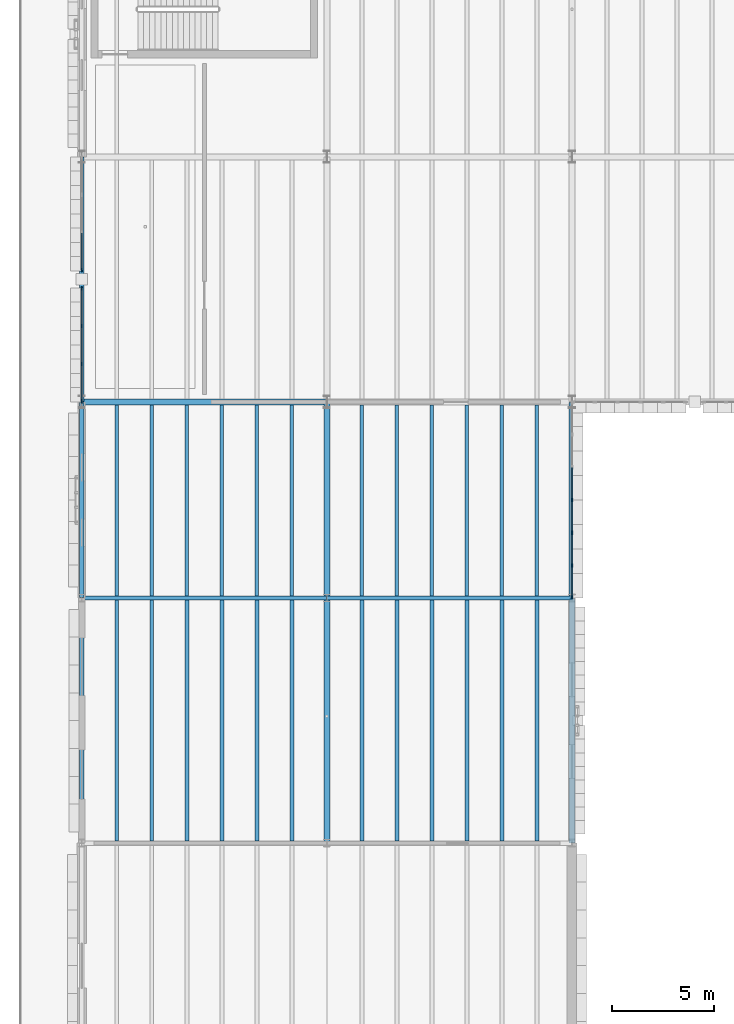
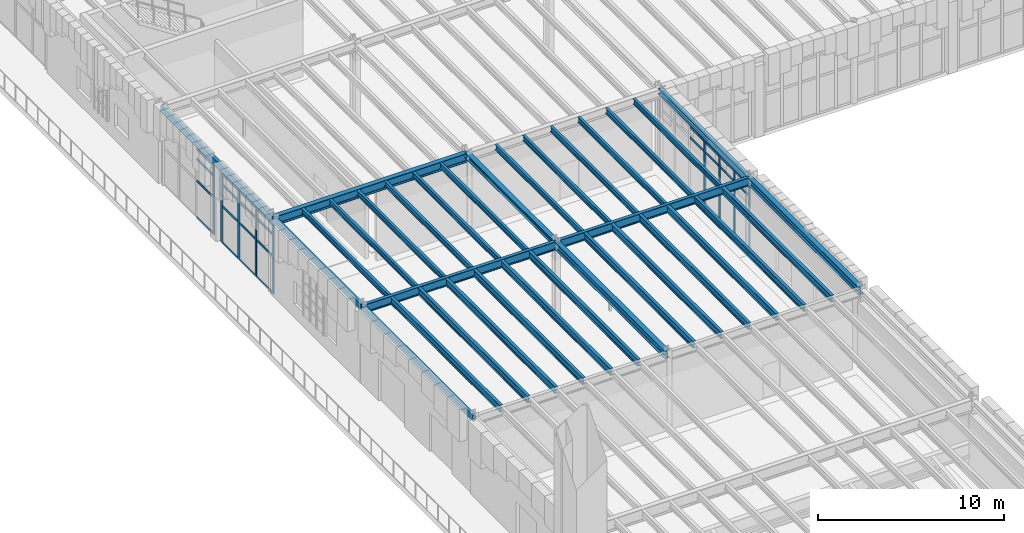
# One storey, part 17 of 103: 41 members, 34 beams, 3 elements without a shape of their own.
"""IFC4 building model written with IfcOpenShell, lengths in metres."""

from ifc_helpers import new_model, si_unit, direction, frame, origin, origin_2d, place, context, subcontext, project, spatial, rectangle, hollow_rectangle, i_section, extrude, material, layer, layer_set, material_profile, profile_set, type_object, element, aggregate, save


model = new_model("IFC4")

# Units and contexts
model_context = context("Model", 3, precision=1e-05, world=origin(), true_north=direction((0.0, 1.0)))
body_context = subcontext(model_context, "Body", "Model", "MODEL_VIEW")
ifc_project = project(units=[si_unit("LENGTHUNIT", "METRE"), si_unit("AREAUNIT", "SQUARE_METRE"), si_unit("VOLUMEUNIT", "CUBIC_METRE"), si_unit("PLANEANGLEUNIT", "RADIAN"), si_unit("MASSUNIT", "GRAM", prefix="KILO")], contexts=[model_context])

# Site, building, storey
site_placement = place(None, origin())
site = spatial("IfcSite", under=ifc_project, at=site_placement, CompositionType="ELEMENT")
building_placement = place(site_placement, origin())
building = spatial("IfcBuilding", under=site, at=building_placement, Name="Zlatogorsky Bluff Art Gallery", CompositionType="ELEMENT")
storey_placement = place(building_placement, origin())
storey = spatial("IfcBuildingStorey", under=building, at=storey_placement, Name="L00", CompositionType="ELEMENT", Elevation=0.0)

# Beams
ifc_material_1 = material(Name="Steel S355", Category="steel")
ifc_material_profile_1 = material_profile(ifc_material_1, i_section(OverallWidth=0.300048828125, OverallDepth=0.590087890625, WebThickness=0.012939453125, FlangeThickness=0.02490234375, FilletRadius=0.027099609375, at=origin_2d()), Name="HEA 600")
ifc_profile_set_1 = profile_set([ifc_material_profile_1], Name="Steel S355")
beam_type_1 = type_object("IfcBeamType", Name="Beam BM-05 HEA 600", PredefinedType="BEAM", material=ifc_profile_set_1)
beam_1_placement = place(storey_placement, frame((0.014892578125, 84.0, 4.844970703125), z_axis=(1.0, 0.0, 0.0), x_axis=(0.0, 1.0, 0.0)))
element("IfcBeam", 1, at=beam_1_placement, inside=storey, type_object=beam_type_1, Name="Primary girder BM-05 L00 A-B/9", PredefinedType="BEAM", context=body_context, shape_type="SweptSolid", body=[
    extrude(i_section(OverallWidth=0.300048828125, OverallDepth=0.590087890625, WebThickness=0.012939453125, FlangeThickness=0.02490234375, FilletRadius=0.027099609375, at=origin_2d()), origin(), (0.0, 0.0, 1.0), 11.97021484375),
])
ifc_material_profile_2 = material_profile(ifc_material_1, i_section(OverallWidth=0.300048828125, OverallDepth=0.489990234375, WebThickness=0.011962890625, FlangeThickness=0.02294921875, FilletRadius=0.027099609375, at=origin_2d()), Name="HEA 500")
ifc_profile_set_2 = profile_set([ifc_material_profile_2], Name="Steel S355")
beam_type_2 = type_object("IfcBeamType", Name="Beam BM-07 HEA 500", PredefinedType="BEAM", material=ifc_profile_set_2)
for number, where, z_axis, x_axis, name in (
    (2, (12.0, 62.4150390625, 4.89501953125), (0.0, 1.0, 0.0), (-1.0, 0.0, 0.0), "Primary girder BM-07 L00 B/7-8"),
    (3, (24.0, 62.4150390625, 4.89501953125), (0.0, 1.0, 0.0), (-1.0, 0.0, 0.0), "Primary girder BM-07 L00 C/7-8"),
):
    element("IfcBeam", number, at=place(storey_placement, frame(where, z_axis=z_axis, x_axis=x_axis)), inside=storey, type_object=beam_type_2, Name=name, PredefinedType="BEAM", context=body_context, shape_type="SweptSolid", body=[
        extrude(i_section(OverallWidth=0.300048828125, OverallDepth=0.489990234375, WebThickness=0.011962890625, FlangeThickness=0.02294921875, FilletRadius=0.027099609375, at=origin_2d()), origin(), (0.0, 0.0, 1.0), 11.969970703125),
    ])
ifc_material_profile_3 = material_profile(ifc_material_1, i_section(OverallWidth=0.300048828125, OverallDepth=0.35009765625, WebThickness=0.010009765625, FlangeThickness=0.017578125, FilletRadius=0.027099609375, at=origin_2d()), Name="HEA 360")
ifc_profile_set_3 = profile_set([ifc_material_profile_3], Name="Steel S355")
beam_type_3 = type_object("IfcBeamType", Name="Beam BM-10 HEA 360", PredefinedType="BEAM", material=ifc_profile_set_3)
for number, where, z_axis, x_axis, name in (
    (4, (12.0, 74.4150390625, 4.965087890625), (0.0, 1.0, 0.0), (-1.0, 0.0, 0.0), "Primary girder BM-10 L00 B/8-9"),
    (5, (24.0, 74.4150390625, 4.965087890625), (0.0, 1.0, 0.0), (-1.0, 0.0, 0.0), "Primary girder BM-10 L00 C/8-9"),
):
    element("IfcBeam", number, at=place(storey_placement, frame(where, z_axis=z_axis, x_axis=x_axis)), inside=storey, type_object=beam_type_3, Name=name, PredefinedType="BEAM", context=body_context, shape_type="SweptSolid", body=[
        extrude(i_section(OverallWidth=0.300048828125, OverallDepth=0.35009765625, WebThickness=0.010009765625, FlangeThickness=0.017578125, FilletRadius=0.027099609375, at=origin_2d()), origin(), (0.0, 0.0, 1.0), 9.570068359375),
    ])
ifc_material_profile_4 = material_profile(ifc_material_1, i_section(OverallWidth=0.2099609375, OverallDepth=0.550048828125, WebThickness=0.010986328125, FlangeThickness=0.01708984375, FilletRadius=0.02392578125, at=origin_2d()), Name="IPE 550")
ifc_profile_set_4 = profile_set([ifc_material_profile_4], Name="Steel S355")
beam_type_4 = type_object("IfcBeamType", Name="Beam BM-14 IPE 550", PredefinedType="BEAM", material=ifc_profile_set_4)
for number, where, z_axis, x_axis, name in (
    (6, (0.014892578125, 74.39990234375, 4.864990234375), (1.0, 0.0, 0.0), (0.0, 1.0, 0.0), "Primary girder BM-14 L00 A-B/8"),
    (7, (12.014892578125, 74.39990234375, 4.864990234375), (1.0, 0.0, 0.0), (0.0, 1.0, 0.0), "Primary girder BM-14 L00 B-C/8"),
):
    element("IfcBeam", number, at=place(storey_placement, frame(where, z_axis=z_axis, x_axis=x_axis)), inside=storey, type_object=beam_type_4, Name=name, PredefinedType="BEAM", context=body_context, shape_type="SweptSolid", body=[
        extrude(i_section(OverallWidth=0.2099609375, OverallDepth=0.550048828125, WebThickness=0.010986328125, FlangeThickness=0.01708984375, FilletRadius=0.02392578125, at=origin_2d()), origin(), (0.0, 0.0, 1.0), 11.97021484375),
    ])
ifc_material_profile_5 = material_profile(ifc_material_1, i_section(OverallWidth=0.169921875, OverallDepth=0.360107421875, WebThickness=0.008056640625, FlangeThickness=0.0126953125, FilletRadius=0.01806640625, at=origin_2d()), Name="IPE 360")
ifc_profile_set_5 = profile_set([ifc_material_profile_5], Name="Steel S355")
beam_type_5 = type_object("IfcBeamType", Name="Beam JS-04 IPE 360", PredefinedType="JOIST", material=ifc_profile_set_5)
for number, where, z_axis, x_axis, name in (
    (8, (1.71435546875, 74.5048828125, 4.9599609375), (0.0, 1.0, 0.0), (-1.0, 0.0, 0.0), "Composite floor joist JS-04 L00 00.07.1"),
    (9, (3.428466796875, 74.5048828125, 4.9599609375), (0.0, 1.0, 0.0), (-1.0, 0.0, 0.0), "Composite floor joist JS-04 L00 00.07.2"),
    (10, (5.142822265625, 74.5048828125, 4.9599609375), (0.0, 1.0, 0.0), (-1.0, 0.0, 0.0), "Composite floor joist JS-04 L00 00.07.3"),
    (11, (6.857177734375, 74.5048828125, 4.9599609375), (0.0, 1.0, 0.0), (-1.0, 0.0, 0.0), "Composite floor joist JS-04 L00 00.07.4"),
    (12, (8.571533203125, 74.5048828125, 4.9599609375), (0.0, 1.0, 0.0), (-1.0, 0.0, 0.0), "Composite floor joist JS-04 L00 00.07.5"),
    (13, (10.28564453125, 74.5048828125, 4.9599609375), (0.0, 1.0, 0.0), (-1.0, 0.0, 0.0), "Composite floor joist JS-04 L00 00.07.6"),
    (14, (13.71435546875, 74.5048828125, 4.9599609375), (0.0, 1.0, 0.0), (-1.0, 0.0, 0.0), "Composite floor joist JS-04 L00 01.07.1"),
    (15, (15.428466796875, 74.5048828125, 4.9599609375), (0.0, 1.0, 0.0), (-1.0, 0.0, 0.0), "Composite floor joist JS-04 L00 01.07.2"),
    (16, (17.142822265625, 74.5048828125, 4.9599609375), (0.0, 1.0, 0.0), (-1.0, 0.0, 0.0), "Composite floor joist JS-04 L00 01.07.3"),
    (17, (18.857177734375, 74.5048828125, 4.9599609375), (0.0, 1.0, 0.0), (-1.0, 0.0, 0.0), "Composite floor joist JS-04 L00 01.07.4"),
    (18, (20.571533203125, 74.5048828125, 4.9599609375), (0.0, 1.0, 0.0), (-1.0, 0.0, 0.0), "Composite floor joist JS-04 L00 01.07.5"),
    (19, (22.28564453125, 74.5048828125, 4.9599609375), (0.0, 1.0, 0.0), (-1.0, 0.0, 0.0), "Composite floor joist JS-04 L00 01.07.6"),
):
    element("IfcBeam", number, at=place(storey_placement, frame(where, z_axis=z_axis, x_axis=x_axis)), inside=storey, type_object=beam_type_5, Name=name, PredefinedType="JOIST", context=body_context, shape_type="SweptSolid", body=[
        extrude(i_section(OverallWidth=0.169921875, OverallDepth=0.360107421875, WebThickness=0.008056640625, FlangeThickness=0.0126953125, FilletRadius=0.01806640625, at=origin_2d()), origin(), (0.0, 0.0, 1.0), 9.34521484375),
    ])
ifc_material_profile_6 = material_profile(ifc_material_1, i_section(OverallWidth=0.18994140625, OverallDepth=0.449951171875, WebThickness=0.009521484375, FlangeThickness=0.0146484375, FilletRadius=0.02099609375, at=origin_2d()), Name="IPE 450")
ifc_profile_set_6 = profile_set([ifc_material_profile_6], Name="Steel S355")
beam_type_6 = type_object("IfcBeamType", Name="Beam JS-06 IPE 450", PredefinedType="JOIST", material=ifc_profile_set_6)
for number, where, z_axis, x_axis, name in (
    (20, (1.71435546875, 62.5048828125, 4.9150390625), (0.0, 1.0, 0.0), (-1.0, 0.0, 0.0), "Composite floor joist JS-06 L00 00.06.1"),
    (21, (3.428466796875, 62.5048828125, 4.9150390625), (0.0, 1.0, 0.0), (-1.0, 0.0, 0.0), "Composite floor joist JS-06 L00 00.06.2"),
    (22, (5.142822265625, 62.5048828125, 4.9150390625), (0.0, 1.0, 0.0), (-1.0, 0.0, 0.0), "Composite floor joist JS-06 L00 00.06.3"),
    (23, (6.857177734375, 62.5048828125, 4.9150390625), (0.0, 1.0, 0.0), (-1.0, 0.0, 0.0), "Composite floor joist JS-06 L00 00.06.4"),
    (24, (8.571533203125, 62.5048828125, 4.9150390625), (0.0, 1.0, 0.0), (-1.0, 0.0, 0.0), "Composite floor joist JS-06 L00 00.06.5"),
    (25, (10.28564453125, 62.5048828125, 4.9150390625), (0.0, 1.0, 0.0), (-1.0, 0.0, 0.0), "Composite floor joist JS-06 L00 00.06.6"),
    (26, (13.71435546875, 62.5048828125, 4.9150390625), (0.0, 1.0, 0.0), (-1.0, 0.0, 0.0), "Composite floor joist JS-06 L00 01.06.1"),
    (27, (15.428466796875, 62.5048828125, 4.9150390625), (0.0, 1.0, 0.0), (-1.0, 0.0, 0.0), "Composite floor joist JS-06 L00 01.06.2"),
    (28, (17.142822265625, 62.5048828125, 4.9150390625), (0.0, 1.0, 0.0), (-1.0, 0.0, 0.0), "Composite floor joist JS-06 L00 01.06.3"),
    (29, (18.857177734375, 62.5048828125, 4.9150390625), (0.0, 1.0, 0.0), (-1.0, 0.0, 0.0), "Composite floor joist JS-06 L00 01.06.4"),
    (30, (20.571533203125, 62.5048828125, 4.9150390625), (0.0, 1.0, 0.0), (-1.0, 0.0, 0.0), "Composite floor joist JS-06 L00 01.06.5"),
    (31, (22.28564453125, 62.5048828125, 4.9150390625), (0.0, 1.0, 0.0), (-1.0, 0.0, 0.0), "Composite floor joist JS-06 L00 01.06.6"),
):
    element("IfcBeam", number, at=place(storey_placement, frame(where, z_axis=z_axis, x_axis=x_axis)), inside=storey, type_object=beam_type_6, Name=name, PredefinedType="JOIST", context=body_context, shape_type="SweptSolid", body=[
        extrude(i_section(OverallWidth=0.18994140625, OverallDepth=0.449951171875, WebThickness=0.009521484375, FlangeThickness=0.0146484375, FilletRadius=0.02099609375, at=origin_2d()), origin(), (0.0, 0.0, 1.0), 11.7900390625),
    ])
ifc_material_profile_7 = material_profile(ifc_material_1, hollow_rectangle(XDim=0.199951171875, YDim=0.39990234375, WallThickness=0.01611328125, at=origin_2d()), Name="RHS 400x200x16")
ifc_profile_set_7 = profile_set([ifc_material_profile_7], Name="Steel S355")
beam_type_7 = type_object("IfcBeamType", Name="Beam SP-02 RHS 400x200x16", PredefinedType="SPANDREL", material=ifc_profile_set_7)
beam_2_placement = place(storey_placement, frame((0.0, 62.4150390625, 4.93994140625), z_axis=(0.0, 1.0, 0.0), x_axis=(-1.0, 0.0, 0.0)))
element("IfcBeam", 32, at=beam_2_placement, inside=storey, type_object=beam_type_7, Name="Primary girder SP-02 L00 A/7-8", PredefinedType="SPANDREL", context=body_context, shape_type="SweptSolid", body=[
    extrude(hollow_rectangle(XDim=0.199951171875, YDim=0.39990234375, WallThickness=0.01611328125, at=origin_2d()), origin(), (0.0, 0.0, 1.0), 11.969970703125),
])
beam_3_placement = place(storey_placement, frame((0.0, 74.4150390625, 4.93994140625), z_axis=(0.0, 1.0, 0.0), x_axis=(-1.0, 0.0, 0.0)))
element("IfcBeam", 33, at=beam_3_placement, inside=storey, type_object=beam_type_7, Name="Primary girder SP-02 L00 A/8-9", PredefinedType="SPANDREL", context=body_context, shape_type="SweptSolid", body=[
    extrude(hollow_rectangle(XDim=0.199951171875, YDim=0.39990234375, WallThickness=0.01611328125, at=origin_2d()), origin(), (0.0, 0.0, 1.0), 9.570068359375),
])
beam_4_placement = place(storey_placement, frame((0.0, 84.014892578125, 4.93994140625), z_axis=(0.0, 1.0, 0.0), x_axis=(-1.0, 0.0, 0.0)))
element("IfcBeam", 34, at=beam_4_placement, inside=storey, type_object=beam_type_7, Name="Primary girder SP-02 L00 A/9-10", PredefinedType="SPANDREL", context=body_context, shape_type="SweptSolid", body=[
    extrude(hollow_rectangle(XDim=0.199951171875, YDim=0.39990234375, WallThickness=0.01611328125, at=origin_2d()), origin(), (0.0, 0.0, 1.0), 11.97021484375),
])

# Curtain wall, member
ifc_material_2 = material(Name="Anodised Bronze Aluminium and Low-Iron Triple Glazing", Category="aluminium")
ifc_layer_1 = layer(ifc_material_2, 0.219970703125)
ifc_layer_set_1 = layer_set([ifc_layer_1], Name="Curtain Wall CW-04")
curtain_wall_type_1 = type_object("IfcCurtainWallType", Name="Curtain Wall CW-04", PredefinedType="USERDEFINED", material=ifc_layer_set_1)
curtain_wall_1_placement = place(storey_placement, origin())
curtain_wall_1 = element("IfcCurtainWall", 35, at=curtain_wall_1_placement, inside=storey, type_object=curtain_wall_type_1, Name="Unitised curtain wall CW-04 L00 W 0.8-A", ObjectType="CURTAIN WALL", PredefinedType="USERDEFINED")
ifc_material_3 = material(Name="Anodised Bronze Aluminium", Category="aluminium")
ifc_material_profile_8 = material_profile(ifc_material_3, rectangle(XDim=0.06494140625, YDim=0.179931640625, at=origin_2d()), Name="ALU MULLION 65x180")
ifc_profile_set_8 = profile_set([ifc_material_profile_8], Name="Anodised Bronze Aluminium")
member_type_1 = type_object("IfcMemberType", Name="Curtain Mullion ML-01", PredefinedType="MULLION", material=ifc_profile_set_8)
member_1_placement = place(storey_placement, frame((0.0, 90.452392578125, 0.0), z_axis=(0.0, 0.0, 1.0), x_axis=(1.0, 0.0, 0.0)))
member_1 = element("IfcMember", 36, at=member_1_placement, type_object=member_type_1, Name="CW-04 mullion 4", PredefinedType="MULLION", context=body_context, shape_type="SweptSolid", body=[
    extrude(rectangle(XDim=0.06494140625, YDim=0.179931640625, at=origin_2d()), origin(), (0.0, 0.0, 1.0), 4.56005859375),
])

# Curtain wall, members
curtain_wall_2_placement = place(storey_placement, origin())
curtain_wall_2 = element("IfcCurtainWall", 37, at=curtain_wall_2_placement, inside=storey, type_object=curtain_wall_type_1, Name="Unitised curtain wall CW-04 L00 W 0.8-B", ObjectType="CURTAIN WALL", PredefinedType="USERDEFINED")
member_2_placement = place(storey_placement, frame((0.0, 89.547607421875, 0.0), z_axis=(0.0, 0.0, 1.0), x_axis=(1.0, 0.0, 0.0)))
member_2 = element("IfcMember", 38, at=member_2_placement, type_object=member_type_1, Name="CW-04 mullion 1", PredefinedType="MULLION", context=body_context, shape_type="SweptSolid", body=[
    extrude(rectangle(XDim=0.06494140625, YDim=0.179931640625, at=origin_2d()), origin(), (0.0, 0.0, 1.0), 4.56005859375),
])
member_3_placement = place(storey_placement, frame((0.0, 87.719970703125, 0.0), z_axis=(0.0, 0.0, 1.0), x_axis=(1.0, 0.0, 0.0)))
member_3 = element("IfcMember", 39, at=member_3_placement, type_object=member_type_1, Name="CW-04 mullion 2", PredefinedType="MULLION", context=body_context, shape_type="SweptSolid", body=[
    extrude(rectangle(XDim=0.06494140625, YDim=0.179931640625, at=origin_2d()), origin(), (0.0, 0.0, 1.0), 4.56005859375),
])
member_4_placement = place(storey_placement, frame((0.0, 85.860107421875, 0.0), z_axis=(0.0, 0.0, 1.0), x_axis=(1.0, 0.0, 0.0)))
member_4 = element("IfcMember", 40, at=member_4_placement, type_object=member_type_1, Name="CW-04 mullion 3", PredefinedType="MULLION", context=body_context, shape_type="SweptSolid", body=[
    extrude(rectangle(XDim=0.06494140625, YDim=0.179931640625, at=origin_2d()), origin(), (0.0, 0.0, 1.0), 4.56005859375),
])
member_5_placement = place(storey_placement, frame((0.0, 84.032470703125, 0.0), z_axis=(0.0, 0.0, 1.0), x_axis=(1.0, 0.0, 0.0)))
member_5 = element("IfcMember", 41, at=member_5_placement, type_object=member_type_1, Name="CW-04 mullion 4", PredefinedType="MULLION", context=body_context, shape_type="SweptSolid", body=[
    extrude(rectangle(XDim=0.06494140625, YDim=0.179931640625, at=origin_2d()), origin(), (0.0, 0.0, 1.0), 4.56005859375),
])

ifc_layer_2 = layer(ifc_material_2, 0.199951171875)
ifc_layer_set_2 = layer_set([ifc_layer_2], Name="Curtain Wall CW-02")
curtain_wall_type_2 = type_object("IfcCurtainWallType", Name="Curtain Wall CW-02", PredefinedType="USERDEFINED", material=ifc_layer_set_2)
curtain_wall_3_placement = place(storey_placement, origin())
curtain_wall_3 = element("IfcCurtainWall", 42, at=curtain_wall_3_placement, inside=storey, type_object=curtain_wall_type_2, Name="Unitised curtain wall CW-02 L00 E 1.7", ObjectType="CURTAIN WALL", PredefinedType="USERDEFINED")
member_6_placement = place(storey_placement, frame((24.0, 74.4326171875, 0.0), z_axis=(0.0, 0.0, 1.0), x_axis=(-1.0, 0.0, 0.0)))
member_6 = element("IfcMember", 43, at=member_6_placement, type_object=member_type_1, Name="CW-02 mullion 1", PredefinedType="MULLION", context=body_context, shape_type="SweptSolid", body=[
    extrude(rectangle(XDim=0.06494140625, YDim=0.179931640625, at=origin_2d()), origin(), (0.0, 0.0, 1.0), 4.56005859375),
])
member_7_placement = place(storey_placement, frame((24.0, 76.0, 0.0), z_axis=(0.0, 0.0, 1.0), x_axis=(-1.0, 0.0, 0.0)))
member_7 = element("IfcMember", 44, at=member_7_placement, type_object=member_type_1, Name="CW-02 mullion 2", PredefinedType="MULLION", context=body_context, shape_type="SweptSolid", body=[
    extrude(rectangle(XDim=0.06494140625, YDim=0.179931640625, at=origin_2d()), origin(), (0.0, 0.0, 1.0), 4.56005859375),
])
member_8_placement = place(storey_placement, frame((24.0, 77.60009765625, 0.0), z_axis=(0.0, 0.0, 1.0), x_axis=(-1.0, 0.0, 0.0)))
member_8 = element("IfcMember", 45, at=member_8_placement, type_object=member_type_1, Name="CW-02 mullion 3", PredefinedType="MULLION", context=body_context, shape_type="SweptSolid", body=[
    extrude(rectangle(XDim=0.06494140625, YDim=0.179931640625, at=origin_2d()), origin(), (0.0, 0.0, 1.0), 4.56005859375),
])
member_9_placement = place(storey_placement, frame((24.0, 79.199951171875, 0.0), z_axis=(0.0, 0.0, 1.0), x_axis=(-1.0, 0.0, 0.0)))
member_9 = element("IfcMember", 46, at=member_9_placement, type_object=member_type_1, Name="CW-02 mullion 4", PredefinedType="MULLION", context=body_context, shape_type="SweptSolid", body=[
    extrude(rectangle(XDim=0.06494140625, YDim=0.179931640625, at=origin_2d()), origin(), (0.0, 0.0, 1.0), 4.56005859375),
])

# Member
ifc_material_profile_9 = material_profile(ifc_material_3, rectangle(XDim=0.06494140625, YDim=0.139892578125, at=origin_2d()), Name="ALU TRANSOM 65x140")
ifc_profile_set_9 = profile_set([ifc_material_profile_9], Name="Anodised Bronze Aluminium")
member_type_2 = type_object("IfcMemberType", Name="Curtain Transom TR-01", PredefinedType="USERDEFINED", material=ifc_profile_set_9)
member_10_placement = place(storey_placement, frame((0.0, 92.24755859375, 0.032470703125), z_axis=(0.0, -1.0, 0.0), x_axis=(1.0, 0.0, 0.0)))
member_10 = element("IfcMember", 47, at=member_10_placement, type_object=member_type_2, Name="CW-04 transom 3.1", ObjectType="TRANSOM", PredefinedType="USERDEFINED", context=body_context, shape_type="SweptSolid", body=[
    extrude(rectangle(XDim=0.06494140625, YDim=0.139892578125, at=origin_2d()), origin(), (0.0, 0.0, 1.0), 1.762451171875),
])

member_11_placement = place(storey_placement, frame((0.0, 92.24755859375, 2.449951171875), z_axis=(0.0, -1.0, 0.0), x_axis=(1.0, 0.0, 0.0)))
member_11 = element("IfcMember", 48, at=member_11_placement, type_object=member_type_2, Name="CW-04 transom 3.2", ObjectType="TRANSOM", PredefinedType="USERDEFINED", context=body_context, shape_type="SweptSolid", body=[
    extrude(rectangle(XDim=0.06494140625, YDim=0.139892578125, at=origin_2d()), origin(), (0.0, 0.0, 1.0), 1.762451171875),
])

member_12_placement = place(storey_placement, frame((0.0, 92.24755859375, 3.85009765625), z_axis=(0.0, -1.0, 0.0), x_axis=(1.0, 0.0, 0.0)))
member_12 = element("IfcMember", 49, at=member_12_placement, type_object=member_type_2, Name="CW-04 transom 3.3", ObjectType="TRANSOM", PredefinedType="USERDEFINED", context=body_context, shape_type="SweptSolid", body=[
    extrude(rectangle(XDim=0.06494140625, YDim=0.139892578125, at=origin_2d()), origin(), (0.0, 0.0, 1.0), 1.762451171875),
])

member_13_placement = place(storey_placement, frame((0.0, 92.24755859375, 4.527587890625), z_axis=(0.0, -1.0, 0.0), x_axis=(1.0, 0.0, 0.0)))
member_13 = element("IfcMember", 50, at=member_13_placement, type_object=member_type_2, Name="CW-04 transom 3.4", ObjectType="TRANSOM", PredefinedType="USERDEFINED", context=body_context, shape_type="SweptSolid", body=[
    extrude(rectangle(XDim=0.06494140625, YDim=0.139892578125, at=origin_2d()), origin(), (0.0, 0.0, 1.0), 1.762451171875),
])

aggregate(curtain_wall_1, [member_1, member_10, member_11, member_12, member_13])

member_14_placement = place(storey_placement, frame((0.0, 89.514892578125, 0.032470703125), z_axis=(0.0, -1.0, 0.0), x_axis=(1.0, 0.0, 0.0)))
member_14 = element("IfcMember", 51, at=member_14_placement, type_object=member_type_2, Name="CW-04 transom 1.1", ObjectType="TRANSOM", PredefinedType="USERDEFINED", context=body_context, shape_type="SweptSolid", body=[
    extrude(rectangle(XDim=0.06494140625, YDim=0.139892578125, at=origin_2d()), origin(), (0.0, 0.0, 1.0), 1.762451171875),
])

member_15_placement = place(storey_placement, frame((0.0, 89.514892578125, 2.449951171875), z_axis=(0.0, -1.0, 0.0), x_axis=(1.0, 0.0, 0.0)))
member_15 = element("IfcMember", 52, at=member_15_placement, type_object=member_type_2, Name="CW-04 transom 1.2", ObjectType="TRANSOM", PredefinedType="USERDEFINED", context=body_context, shape_type="SweptSolid", body=[
    extrude(rectangle(XDim=0.06494140625, YDim=0.139892578125, at=origin_2d()), origin(), (0.0, 0.0, 1.0), 1.762451171875),
])

member_16_placement = place(storey_placement, frame((0.0, 89.514892578125, 3.85009765625), z_axis=(0.0, -1.0, 0.0), x_axis=(1.0, 0.0, 0.0)))
member_16 = element("IfcMember", 53, at=member_16_placement, type_object=member_type_2, Name="CW-04 transom 1.3", ObjectType="TRANSOM", PredefinedType="USERDEFINED", context=body_context, shape_type="SweptSolid", body=[
    extrude(rectangle(XDim=0.06494140625, YDim=0.139892578125, at=origin_2d()), origin(), (0.0, 0.0, 1.0), 1.762451171875),
])

member_17_placement = place(storey_placement, frame((0.0, 89.514892578125, 4.527587890625), z_axis=(0.0, -1.0, 0.0), x_axis=(1.0, 0.0, 0.0)))
member_17 = element("IfcMember", 54, at=member_17_placement, type_object=member_type_2, Name="CW-04 transom 1.4", ObjectType="TRANSOM", PredefinedType="USERDEFINED", context=body_context, shape_type="SweptSolid", body=[
    extrude(rectangle(XDim=0.06494140625, YDim=0.139892578125, at=origin_2d()), origin(), (0.0, 0.0, 1.0), 1.762451171875),
])

member_18_placement = place(storey_placement, frame((0.0, 87.6875, 0.032470703125), z_axis=(0.0, -1.0, 0.0), x_axis=(1.0, 0.0, 0.0)))
member_18 = element("IfcMember", 55, at=member_18_placement, type_object=member_type_2, Name="CW-04 transom 2.1", ObjectType="TRANSOM", PredefinedType="USERDEFINED", context=body_context, shape_type="SweptSolid", body=[
    extrude(rectangle(XDim=0.06494140625, YDim=0.139892578125, at=origin_2d()), origin(), (0.0, 0.0, 1.0), 1.794921875),
])

member_19_placement = place(storey_placement, frame((0.0, 87.6875, 2.449951171875), z_axis=(0.0, -1.0, 0.0), x_axis=(1.0, 0.0, 0.0)))
member_19 = element("IfcMember", 56, at=member_19_placement, type_object=member_type_2, Name="CW-04 transom 2.2", ObjectType="TRANSOM", PredefinedType="USERDEFINED", context=body_context, shape_type="SweptSolid", body=[
    extrude(rectangle(XDim=0.06494140625, YDim=0.139892578125, at=origin_2d()), origin(), (0.0, 0.0, 1.0), 1.794921875),
])

member_20_placement = place(storey_placement, frame((0.0, 87.6875, 3.85009765625), z_axis=(0.0, -1.0, 0.0), x_axis=(1.0, 0.0, 0.0)))
member_20 = element("IfcMember", 57, at=member_20_placement, type_object=member_type_2, Name="CW-04 transom 2.3", ObjectType="TRANSOM", PredefinedType="USERDEFINED", context=body_context, shape_type="SweptSolid", body=[
    extrude(rectangle(XDim=0.06494140625, YDim=0.139892578125, at=origin_2d()), origin(), (0.0, 0.0, 1.0), 1.794921875),
])

member_21_placement = place(storey_placement, frame((0.0, 87.6875, 4.527587890625), z_axis=(0.0, -1.0, 0.0), x_axis=(1.0, 0.0, 0.0)))
member_21 = element("IfcMember", 58, at=member_21_placement, type_object=member_type_2, Name="CW-04 transom 2.4", ObjectType="TRANSOM", PredefinedType="USERDEFINED", context=body_context, shape_type="SweptSolid", body=[
    extrude(rectangle(XDim=0.06494140625, YDim=0.139892578125, at=origin_2d()), origin(), (0.0, 0.0, 1.0), 1.794921875),
])

member_22_placement = place(storey_placement, frame((0.0, 85.827392578125, 0.032470703125), z_axis=(0.0, -1.0, 0.0), x_axis=(1.0, 0.0, 0.0)))
member_22 = element("IfcMember", 59, at=member_22_placement, type_object=member_type_2, Name="CW-04 transom 3.1", ObjectType="TRANSOM", PredefinedType="USERDEFINED", context=body_context, shape_type="SweptSolid", body=[
    extrude(rectangle(XDim=0.06494140625, YDim=0.139892578125, at=origin_2d()), origin(), (0.0, 0.0, 1.0), 1.762451171875),
])

member_23_placement = place(storey_placement, frame((0.0, 85.827392578125, 2.449951171875), z_axis=(0.0, -1.0, 0.0), x_axis=(1.0, 0.0, 0.0)))
member_23 = element("IfcMember", 60, at=member_23_placement, type_object=member_type_2, Name="CW-04 transom 3.2", ObjectType="TRANSOM", PredefinedType="USERDEFINED", context=body_context, shape_type="SweptSolid", body=[
    extrude(rectangle(XDim=0.06494140625, YDim=0.139892578125, at=origin_2d()), origin(), (0.0, 0.0, 1.0), 1.762451171875),
])

member_24_placement = place(storey_placement, frame((0.0, 85.827392578125, 3.85009765625), z_axis=(0.0, -1.0, 0.0), x_axis=(1.0, 0.0, 0.0)))
member_24 = element("IfcMember", 61, at=member_24_placement, type_object=member_type_2, Name="CW-04 transom 3.3", ObjectType="TRANSOM", PredefinedType="USERDEFINED", context=body_context, shape_type="SweptSolid", body=[
    extrude(rectangle(XDim=0.06494140625, YDim=0.139892578125, at=origin_2d()), origin(), (0.0, 0.0, 1.0), 1.762451171875),
])

member_25_placement = place(storey_placement, frame((0.0, 85.827392578125, 4.527587890625), z_axis=(0.0, -1.0, 0.0), x_axis=(1.0, 0.0, 0.0)))
member_25 = element("IfcMember", 62, at=member_25_placement, type_object=member_type_2, Name="CW-04 transom 3.4", ObjectType="TRANSOM", PredefinedType="USERDEFINED", context=body_context, shape_type="SweptSolid", body=[
    extrude(rectangle(XDim=0.06494140625, YDim=0.139892578125, at=origin_2d()), origin(), (0.0, 0.0, 1.0), 1.762451171875),
])

aggregate(curtain_wall_2, [member_2, member_3, member_4, member_5, member_14, member_15, member_16, member_17, member_18, member_19, member_20, member_21, member_22, member_23, member_24, member_25])

member_26_placement = place(storey_placement, frame((24.0, 74.465087890625, 0.032470703125), z_axis=(0.0, 1.0, 0.0), x_axis=(-1.0, 0.0, 0.0)))
member_26 = element("IfcMember", 63, at=member_26_placement, type_object=member_type_2, Name="CW-02 transom 1.1", ObjectType="TRANSOM", PredefinedType="USERDEFINED", context=body_context, shape_type="SweptSolid", body=[
    extrude(rectangle(XDim=0.06494140625, YDim=0.139892578125, at=origin_2d()), origin(), (0.0, 0.0, 1.0), 1.50244140625),
])

member_27_placement = place(storey_placement, frame((24.0, 74.465087890625, 2.449951171875), z_axis=(0.0, 1.0, 0.0), x_axis=(-1.0, 0.0, 0.0)))
member_27 = element("IfcMember", 64, at=member_27_placement, type_object=member_type_2, Name="CW-02 transom 1.2", ObjectType="TRANSOM", PredefinedType="USERDEFINED", context=body_context, shape_type="SweptSolid", body=[
    extrude(rectangle(XDim=0.06494140625, YDim=0.139892578125, at=origin_2d()), origin(), (0.0, 0.0, 1.0), 1.50244140625),
])

member_28_placement = place(storey_placement, frame((24.0, 74.465087890625, 3.85009765625), z_axis=(0.0, 1.0, 0.0), x_axis=(-1.0, 0.0, 0.0)))
member_28 = element("IfcMember", 65, at=member_28_placement, type_object=member_type_2, Name="CW-02 transom 1.3", ObjectType="TRANSOM", PredefinedType="USERDEFINED", context=body_context, shape_type="SweptSolid", body=[
    extrude(rectangle(XDim=0.06494140625, YDim=0.139892578125, at=origin_2d()), origin(), (0.0, 0.0, 1.0), 1.50244140625),
])

member_29_placement = place(storey_placement, frame((24.0, 74.465087890625, 4.527587890625), z_axis=(0.0, 1.0, 0.0), x_axis=(-1.0, 0.0, 0.0)))
member_29 = element("IfcMember", 66, at=member_29_placement, type_object=member_type_2, Name="CW-02 transom 1.4", ObjectType="TRANSOM", PredefinedType="USERDEFINED", context=body_context, shape_type="SweptSolid", body=[
    extrude(rectangle(XDim=0.06494140625, YDim=0.139892578125, at=origin_2d()), origin(), (0.0, 0.0, 1.0), 1.50244140625),
])

member_30_placement = place(storey_placement, frame((24.0, 76.032470703125, 0.032470703125), z_axis=(0.0, 1.0, 0.0), x_axis=(-1.0, 0.0, 0.0)))
member_30 = element("IfcMember", 67, at=member_30_placement, type_object=member_type_2, Name="CW-02 transom 2.1", ObjectType="TRANSOM", PredefinedType="USERDEFINED", context=body_context, shape_type="SweptSolid", body=[
    extrude(rectangle(XDim=0.06494140625, YDim=0.139892578125, at=origin_2d()), origin(), (0.0, 0.0, 1.0), 1.534912109375),
])

member_31_placement = place(storey_placement, frame((24.0, 76.032470703125, 2.449951171875), z_axis=(0.0, 1.0, 0.0), x_axis=(-1.0, 0.0, 0.0)))
member_31 = element("IfcMember", 68, at=member_31_placement, type_object=member_type_2, Name="CW-02 transom 2.2", ObjectType="TRANSOM", PredefinedType="USERDEFINED", context=body_context, shape_type="SweptSolid", body=[
    extrude(rectangle(XDim=0.06494140625, YDim=0.139892578125, at=origin_2d()), origin(), (0.0, 0.0, 1.0), 1.534912109375),
])

member_32_placement = place(storey_placement, frame((24.0, 76.032470703125, 3.85009765625), z_axis=(0.0, 1.0, 0.0), x_axis=(-1.0, 0.0, 0.0)))
member_32 = element("IfcMember", 69, at=member_32_placement, type_object=member_type_2, Name="CW-02 transom 2.3", ObjectType="TRANSOM", PredefinedType="USERDEFINED", context=body_context, shape_type="SweptSolid", body=[
    extrude(rectangle(XDim=0.06494140625, YDim=0.139892578125, at=origin_2d()), origin(), (0.0, 0.0, 1.0), 1.534912109375),
])

member_33_placement = place(storey_placement, frame((24.0, 76.032470703125, 4.527587890625), z_axis=(0.0, 1.0, 0.0), x_axis=(-1.0, 0.0, 0.0)))
member_33 = element("IfcMember", 70, at=member_33_placement, type_object=member_type_2, Name="CW-02 transom 2.4", ObjectType="TRANSOM", PredefinedType="USERDEFINED", context=body_context, shape_type="SweptSolid", body=[
    extrude(rectangle(XDim=0.06494140625, YDim=0.139892578125, at=origin_2d()), origin(), (0.0, 0.0, 1.0), 1.534912109375),
])

member_34_placement = place(storey_placement, frame((24.0, 77.632568359375, 0.032470703125), z_axis=(0.0, 1.0, 0.0), x_axis=(-1.0, 0.0, 0.0)))
member_34 = element("IfcMember", 71, at=member_34_placement, type_object=member_type_2, Name="CW-02 transom 3.1", ObjectType="TRANSOM", PredefinedType="USERDEFINED", context=body_context, shape_type="SweptSolid", body=[
    extrude(rectangle(XDim=0.06494140625, YDim=0.139892578125, at=origin_2d()), origin(), (0.0, 0.0, 1.0), 1.534912109375),
])

member_35_placement = place(storey_placement, frame((24.0, 77.632568359375, 2.449951171875), z_axis=(0.0, 1.0, 0.0), x_axis=(-1.0, 0.0, 0.0)))
member_35 = element("IfcMember", 72, at=member_35_placement, type_object=member_type_2, Name="CW-02 transom 3.2", ObjectType="TRANSOM", PredefinedType="USERDEFINED", context=body_context, shape_type="SweptSolid", body=[
    extrude(rectangle(XDim=0.06494140625, YDim=0.139892578125, at=origin_2d()), origin(), (0.0, 0.0, 1.0), 1.534912109375),
])

member_36_placement = place(storey_placement, frame((24.0, 77.632568359375, 3.85009765625), z_axis=(0.0, 1.0, 0.0), x_axis=(-1.0, 0.0, 0.0)))
member_36 = element("IfcMember", 73, at=member_36_placement, type_object=member_type_2, Name="CW-02 transom 3.3", ObjectType="TRANSOM", PredefinedType="USERDEFINED", context=body_context, shape_type="SweptSolid", body=[
    extrude(rectangle(XDim=0.06494140625, YDim=0.139892578125, at=origin_2d()), origin(), (0.0, 0.0, 1.0), 1.534912109375),
])

member_37_placement = place(storey_placement, frame((24.0, 77.632568359375, 4.527587890625), z_axis=(0.0, 1.0, 0.0), x_axis=(-1.0, 0.0, 0.0)))
member_37 = element("IfcMember", 74, at=member_37_placement, type_object=member_type_2, Name="CW-02 transom 3.4", ObjectType="TRANSOM", PredefinedType="USERDEFINED", context=body_context, shape_type="SweptSolid", body=[
    extrude(rectangle(XDim=0.06494140625, YDim=0.139892578125, at=origin_2d()), origin(), (0.0, 0.0, 1.0), 1.534912109375),
])

member_38_placement = place(storey_placement, frame((24.0, 79.232421875, 0.032470703125), z_axis=(0.0, 1.0, 0.0), x_axis=(-1.0, 0.0, 0.0)))
member_38 = element("IfcMember", 75, at=member_38_placement, type_object=member_type_2, Name="CW-02 transom 4.1", ObjectType="TRANSOM", PredefinedType="USERDEFINED", context=body_context, shape_type="SweptSolid", body=[
    extrude(rectangle(XDim=0.06494140625, YDim=0.139892578125, at=origin_2d()), origin(), (0.0, 0.0, 1.0), 1.53515625),
])

member_39_placement = place(storey_placement, frame((24.0, 79.232421875, 2.449951171875), z_axis=(0.0, 1.0, 0.0), x_axis=(-1.0, 0.0, 0.0)))
member_39 = element("IfcMember", 76, at=member_39_placement, type_object=member_type_2, Name="CW-02 transom 4.2", ObjectType="TRANSOM", PredefinedType="USERDEFINED", context=body_context, shape_type="SweptSolid", body=[
    extrude(rectangle(XDim=0.06494140625, YDim=0.139892578125, at=origin_2d()), origin(), (0.0, 0.0, 1.0), 1.53515625),
])

member_40_placement = place(storey_placement, frame((24.0, 79.232421875, 3.85009765625), z_axis=(0.0, 1.0, 0.0), x_axis=(-1.0, 0.0, 0.0)))
member_40 = element("IfcMember", 77, at=member_40_placement, type_object=member_type_2, Name="CW-02 transom 4.3", ObjectType="TRANSOM", PredefinedType="USERDEFINED", context=body_context, shape_type="SweptSolid", body=[
    extrude(rectangle(XDim=0.06494140625, YDim=0.139892578125, at=origin_2d()), origin(), (0.0, 0.0, 1.0), 1.53515625),
])

member_41_placement = place(storey_placement, frame((24.0, 79.232421875, 4.527587890625), z_axis=(0.0, 1.0, 0.0), x_axis=(-1.0, 0.0, 0.0)))
member_41 = element("IfcMember", 78, at=member_41_placement, type_object=member_type_2, Name="CW-02 transom 4.4", ObjectType="TRANSOM", PredefinedType="USERDEFINED", context=body_context, shape_type="SweptSolid", body=[
    extrude(rectangle(XDim=0.06494140625, YDim=0.139892578125, at=origin_2d()), origin(), (0.0, 0.0, 1.0), 1.53515625),
])

aggregate(curtain_wall_3, [member_6, member_7, member_8, member_9, member_26, member_27, member_28, member_29, member_30, member_31, member_32, member_33, member_34, member_35, member_36, member_37, member_38, member_39, member_40, member_41])

save(model, "model.ifc")
